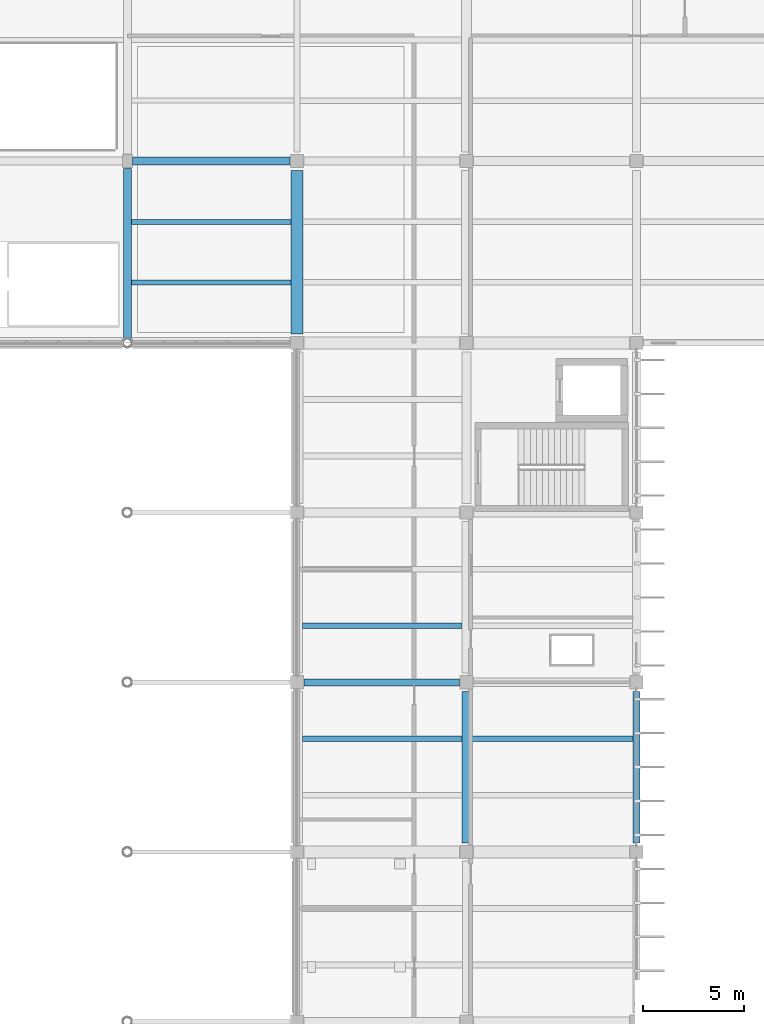
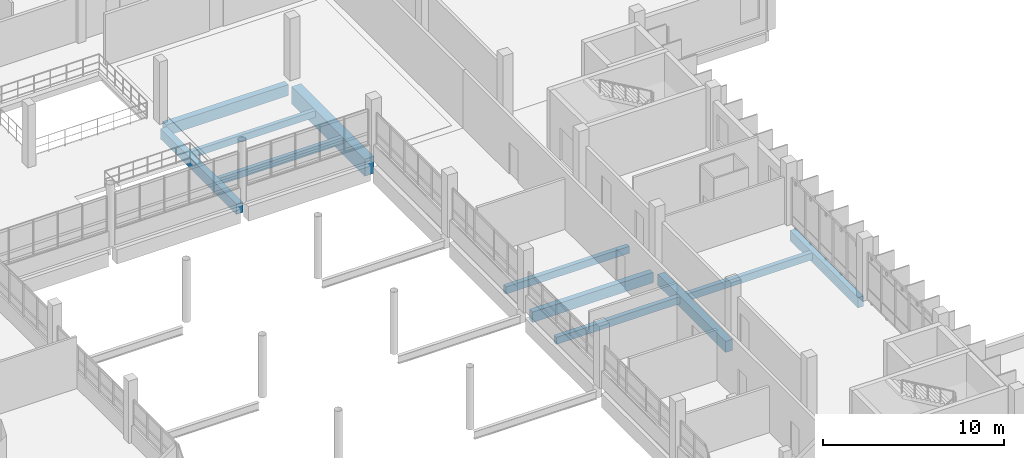
# One storey, part 54 of 101: 11 beams.
"""IFC4 building model written with IfcOpenShell, lengths in metres."""

from ifc_helpers import new_model, si_unit, direction, frame, origin, origin_2d, place, context, subcontext, project, spatial, rectangle, extrude, material, material_profile, profile_set, type_object, element, save


model = new_model("IFC4")

# Units and contexts
model_context = context("Model", 3, precision=1e-05, world=origin(), true_north=direction((0.0, 1.0)))
body_context = subcontext(model_context, "Body", "Model", "MODEL_VIEW")
ifc_project = project(units=[si_unit("LENGTHUNIT", "METRE"), si_unit("AREAUNIT", "SQUARE_METRE"), si_unit("VOLUMEUNIT", "CUBIC_METRE"), si_unit("PLANEANGLEUNIT", "RADIAN"), si_unit("MASSUNIT", "GRAM", prefix="KILO")], contexts=[model_context])

# Site, building, storey
site_placement = place(None, origin())
site = spatial("IfcSite", under=ifc_project, at=site_placement, CompositionType="ELEMENT")
building_placement = place(site_placement, origin())
building = spatial("IfcBuilding", under=site, at=building_placement, Name="Vireocrest Preparatory School", CompositionType="ELEMENT")
storey_placement = place(building_placement, frame((0.0, 0.0, 4.800048828125)))
storey = spatial("IfcBuildingStorey", under=building, at=storey_placement, Name="L01", CompositionType="ELEMENT", Elevation=4.800048828125)

# Beams
ifc_material = material(Name="Concrete 40 MPa", Category="concrete")
ifc_material_profile_1 = material_profile(ifc_material, rectangle(XDim=0.39990234375, YDim=0.75, at=origin_2d()), Name="RC 400x750")
ifc_profile_set_1 = profile_set([ifc_material_profile_1], Name="Concrete 40 MPa")
beam_type_1 = type_object("IfcBeamType", Name="RC Commons Girder 400x750", PredefinedType="BEAM", material=ifc_profile_set_1)
beam_1_placement = place(storey_placement, frame((84.25, 94.800048828125, -0.655029296875), z_axis=(1.0, 0.0, 0.0), x_axis=(0.0, 1.0, 0.0)))
element("IfcBeam", 1, at=beam_1_placement, inside=storey, type_object=beam_type_1, Name="Primary Girder B09 L01-0349", PredefinedType="BEAM", context=body_context, shape_type="SweptSolid", body=[
    extrude(rectangle(XDim=0.39990234375, YDim=0.75, at=origin_2d()), origin(), (0.0, 0.0, 1.0), 7.800048828125),
])
ifc_material_profile_2 = material_profile(ifc_material, rectangle(XDim=0.39990234375, YDim=0.699951171875, at=origin_2d()), Name="RC 400x700")
ifc_profile_set_2 = profile_set([ifc_material_profile_2], Name="Concrete 40 MPa")
beam_type_2 = type_object("IfcBeamType", Name="RC Corridor Girder 400x700", PredefinedType="BEAM", material=ifc_profile_set_2)
beam_2_placement = place(storey_placement, frame((84.0, 86.053955078125, -0.630126953125), z_axis=(0.0, 1.0, 0.0), x_axis=(-1.0, 0.0, 0.0)))
element("IfcBeam", 2, at=beam_2_placement, inside=storey, type_object=beam_type_2, Name="Primary Girder B08 L01-0433", PredefinedType="BEAM", context=body_context, shape_type="SweptSolid", body=[
    extrude(rectangle(XDim=0.39990234375, YDim=0.699951171875, at=origin_2d()), origin(), (0.0, 0.0, 1.0), 8.39599609375),
])
ifc_material_profile_3 = material_profile(ifc_material, rectangle(XDim=0.60009765625, YDim=1.14990234375, at=origin_2d()), Name="RC 600x1150")
ifc_profile_set_3 = profile_set([ifc_material_profile_3], Name="Concrete 40 MPa")
beam_type_3 = type_object("IfcBeamType", Name="RC Heavy Transfer Girder 600x1150", PredefinedType="BEAM", material=ifc_profile_set_3)
beam_3_placement = place(storey_placement, frame((92.39990234375, 86.25, -0.85498046875), z_axis=(0.0, 1.0, 0.0), x_axis=(-1.0, 0.0, 0.0)))
element("IfcBeam", 3, at=beam_3_placement, inside=storey, type_object=beam_type_3, Name="Primary Girder B20 L01-0445", PredefinedType="BEAM", context=body_context, shape_type="SweptSolid", body=[
    extrude(rectangle(XDim=0.60009765625, YDim=1.14990234375, at=origin_2d()), origin(), (0.0, 0.0, 1.0), 8.10009765625),
])
ifc_material_profile_4 = material_profile(ifc_material, rectangle(XDim=0.35009765625, YDim=0.699951171875, at=origin_2d()), Name="RC 350x700")
ifc_profile_set_4 = profile_set([ifc_material_profile_4], Name="Concrete 40 MPa")
beam_type_4 = type_object("IfcBeamType", Name="RC Laboratory Girder 350x700", PredefinedType="BEAM", material=ifc_profile_set_4)
beam_4_placement = place(storey_placement, frame((92.75, 69.0, -0.610107421875), z_axis=(1.0, 0.0, 0.0), x_axis=(0.0, 1.0, 0.0)))
element("IfcBeam", 4, at=beam_4_placement, inside=storey, type_object=beam_type_4, Name="Primary Girder B06 L01-0328", PredefinedType="BEAM", context=body_context, shape_type="SweptSolid", body=[
    extrude(rectangle(XDim=0.35009765625, YDim=0.699951171875, at=origin_2d()), origin(), (0.0, 0.0, 1.0), 7.699951171875),
])
beam_5_placement = place(storey_placement, frame((109.199951171875, 61.050048828125, -0.610107421875), z_axis=(0.0, 1.0, 0.0), x_axis=(-1.0, 0.0, 0.0)))
element("IfcBeam", 5, at=beam_5_placement, inside=storey, type_object=beam_type_4, Name="Primary Girder B06 L01-0467", PredefinedType="BEAM", context=body_context, shape_type="SweptSolid", body=[
    extrude(rectangle(XDim=0.35009765625, YDim=0.699951171875, at=origin_2d()), origin(), (0.0, 0.0, 1.0), 7.5),
])
ifc_material_profile_5 = material_profile(ifc_material, rectangle(XDim=0.449951171875, YDim=0.75, at=origin_2d()), Name="RC 450x750")
ifc_profile_set_5 = profile_set([ifc_material_profile_5], Name="Concrete 40 MPa")
beam_type_5 = type_object("IfcBeamType", Name="RC Library Stack Girder 450x750", PredefinedType="BEAM", material=ifc_profile_set_5)
beam_6_placement = place(storey_placement, frame((100.800048828125, 61.050048828125, -0.635009765625), z_axis=(0.0, 1.0, 0.0), x_axis=(-1.0, 0.0, 0.0)))
element("IfcBeam", 6, at=beam_6_placement, inside=storey, type_object=beam_type_5, Name="Primary Girder B11 L01-0454", PredefinedType="BEAM", context=body_context, shape_type="SweptSolid", body=[
    extrude(rectangle(XDim=0.449951171875, YDim=0.75, at=origin_2d()), origin(), (0.0, 0.0, 1.0), 7.5),
])
ifc_material_profile_6 = material_profile(ifc_material, rectangle(XDim=0.25, YDim=0.449951171875, at=origin_2d()), Name="RC 250x450")
ifc_profile_set_6 = profile_set([ifc_material_profile_6], Name="Concrete 40 MPa")
beam_type_6 = type_object("IfcBeamType", Name="RC Secondary Floor Joist 250x450", PredefinedType="JOIST", material=ifc_profile_set_6)
for number, where, z_axis, x_axis, name in (
    (7, (84.199951171875, 88.800048828125, -0.505126953125), (1.0, 0.0, 0.0), (0.0, 1.0, 0.0), "Secondary Joist J01 L01-0581"),
    (8, (84.199951171875, 91.800048828125, -0.505126953125), (1.0, 0.0, 0.0), (0.0, 1.0, 0.0), "Secondary Joist J01 L01-0582"),
):
    element("IfcBeam", number, at=place(storey_placement, frame(where, z_axis=z_axis, x_axis=x_axis)), inside=storey, type_object=beam_type_6, Name=name, PredefinedType="JOIST", context=body_context, shape_type="SweptSolid", body=[
        extrude(rectangle(XDim=0.25, YDim=0.449951171875, at=origin_2d()), origin(), (0.0, 0.0, 1.0), 7.900146484375),
    ])
ifc_material_profile_7 = material_profile(ifc_material, rectangle(XDim=0.280029296875, YDim=0.47998046875, at=origin_2d()), Name="RC 280x480")
ifc_profile_set_7 = profile_set([ifc_material_profile_7], Name="Concrete 40 MPa")
beam_type_7 = type_object("IfcBeamType", Name="RC Secondary Lab Joist 280x480", PredefinedType="JOIST", material=ifc_profile_set_7)
for number, where, z_axis, x_axis, name in (
    (9, (92.675048828125, 66.199951171875, -0.5), (1.0, 0.0, 0.0), (0.0, 1.0, 0.0), "Secondary Joist J02 L01-0598"),
    (10, (92.675048828125, 71.800048828125, -0.5), (1.0, 0.0, 0.0), (0.0, 1.0, 0.0), "Secondary Joist J02 L01-0599"),
):
    element("IfcBeam", number, at=place(storey_placement, frame(where, z_axis=z_axis, x_axis=x_axis)), inside=storey, type_object=beam_type_7, Name=name, PredefinedType="JOIST", context=body_context, shape_type="SweptSolid", body=[
        extrude(rectangle(XDim=0.280029296875, YDim=0.47998046875, at=origin_2d()), origin(), (0.0, 0.0, 1.0), 7.89990234375),
    ])
beam_7_placement = place(storey_placement, frame((101.02490234375, 66.199951171875, -0.5), z_axis=(1.0, 0.0, 0.0), x_axis=(0.0, 1.0, 0.0)))
element("IfcBeam", 11, at=beam_7_placement, inside=storey, type_object=beam_type_7, Name="Secondary Joist J02 L01-0618", PredefinedType="JOIST", context=body_context, shape_type="SweptSolid", body=[
    extrude(rectangle(XDim=0.280029296875, YDim=0.47998046875, at=origin_2d()), origin(), (0.0, 0.0, 1.0), 8.0),
])

save(model, "model.ifc")
